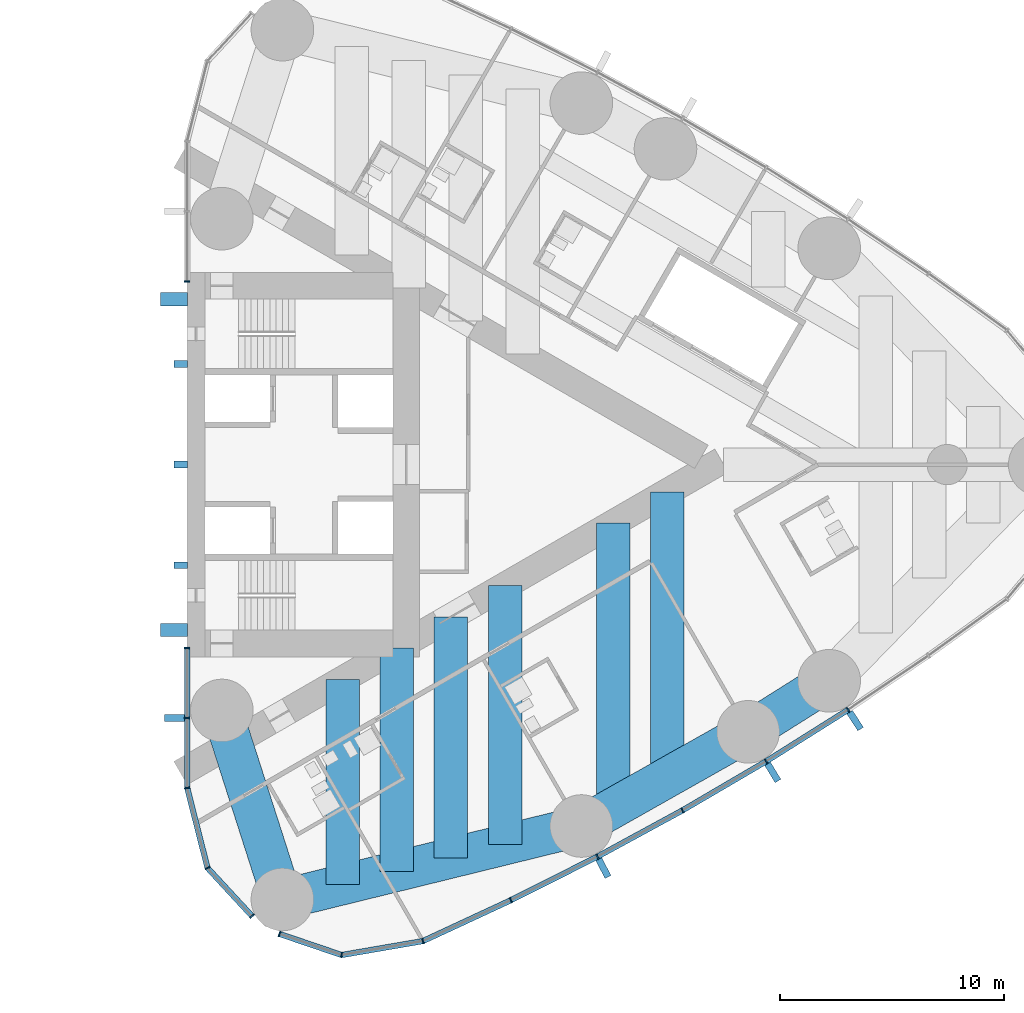
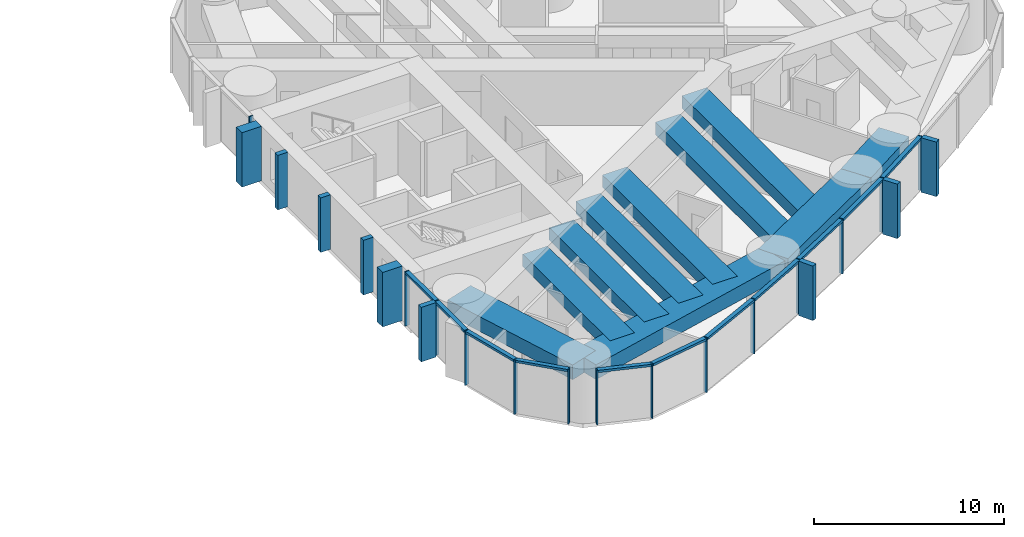
# One storey, part 6 of 18: 34 members, 10 beams, 3 elements without a shape of their own.
"""IFC4 building model written with IfcOpenShell, lengths in metres."""

from ifc_helpers import new_model, si_unit, direction, frame, origin, origin_2d, place, context, subcontext, project, spatial, rectangle, extrude, material, material_profile, profile_set, type_object, element, aggregate, save


model = new_model("IFC4")

# Units and contexts
model_context = context("Model", 3, precision=1e-05, world=origin(), true_north=direction((0.0, 1.0)))
body_context = subcontext(model_context, "Body", "Model", "MODEL_VIEW")
ifc_project = project(units=[si_unit("LENGTHUNIT", "METRE"), si_unit("AREAUNIT", "SQUARE_METRE"), si_unit("VOLUMEUNIT", "CUBIC_METRE"), si_unit("PLANEANGLEUNIT", "RADIAN"), si_unit("MASSUNIT", "GRAM", prefix="KILO")], contexts=[model_context])

# Site, building, storey
site_placement = place(None, origin())
site = spatial("IfcSite", under=ifc_project, at=site_placement, CompositionType="ELEMENT")
building_placement = place(site_placement, origin())
building = spatial("IfcBuilding", under=site, at=building_placement, Name="Lancet Gate Hotel", CompositionType="ELEMENT")
storey_placement = place(building_placement, frame((0.0, 0.0, 187.800048828125)))
storey = spatial("IfcBuildingStorey", under=building, at=storey_placement, Name="L50", CompositionType="ELEMENT", Elevation=187.800048828125)

# Curtain wall, members
ifc_material_1 = material(Name="Aluminium curtain wall", Category="aluminium")
curtain_wall_type = type_object("IfcCurtainWallType", Name="Tower unitised curtain wall", PredefinedType="USERDEFINED", material=ifc_material_1)
curtain_wall_1_placement = place(storey_placement, origin())
curtain_wall_1 = element("IfcCurtainWall", 1, at=curtain_wall_1_placement, inside=storey, type_object=curtain_wall_type, Name="T2 L50 curtain wall 1", ObjectType="UNITISED CURTAIN WALL", PredefinedType="USERDEFINED")
ifc_material_2 = material(Name="Aluminium mullion", Category="aluminium")
ifc_material_profile_1 = material_profile(ifc_material_2, rectangle(XDim=0.06494140625, YDim=0.25, at=origin_2d()), Name="MULLION 65x250")
ifc_profile_set_1 = profile_set([ifc_material_profile_1], Name="Aluminium mullion")
member_type_1 = type_object("IfcMemberType", Name="Aluminium mullion 65x250", PredefinedType="MULLION", material=ifc_profile_set_1)
member_1_placement = place(storey_placement, frame((27.5, -8.199951171875, 0.0), z_axis=(0.0, 0.0, 1.0), x_axis=(0.0, -1.0, 0.0)))
member_1 = element("IfcMember", 2, at=member_1_placement, type_object=member_type_1, Name="T2 L50 curtain wall 1 mullion 1", PredefinedType="MULLION", context=body_context, shape_type="SweptSolid", body=[
    extrude(rectangle(XDim=0.06494140625, YDim=0.25, at=origin_2d()), origin(), (0.0, 0.0, 1.0), 3.5),
])
member_2_placement = place(storey_placement, frame((27.5, -11.332763671875, 0.0), z_axis=(0.0, 0.0, 1.0), x_axis=(0.0, -1.0, 0.0)))
member_2 = element("IfcMember", 3, at=member_2_placement, type_object=member_type_1, Name="T2 L50 curtain wall 1 mullion 2", PredefinedType="MULLION", context=body_context, shape_type="SweptSolid", body=[
    extrude(rectangle(XDim=0.06494140625, YDim=0.25, at=origin_2d()), origin(), (0.0, 0.0, 1.0), 3.5),
])
member_3_placement = place(storey_placement, frame((27.5, -14.465576171875, 0.0), z_axis=(0.0, 0.0, 1.0), x_axis=(0.134206524909, -0.990953383703, 0.0)))
member_3 = element("IfcMember", 4, at=member_3_placement, type_object=member_type_1, Name="T2 L50 curtain wall 1 mullion 3", PredefinedType="MULLION", context=body_context, shape_type="SweptSolid", body=[
    extrude(rectangle(XDim=0.06494140625, YDim=0.25, at=origin_2d()), origin(), (0.0, 0.0, 1.0), 3.5),
])
member_4_placement = place(storey_placement, frame((28.408935546875, -18.04443359375, 0.0), z_axis=(0.0, 0.0, 1.0), x_axis=(0.451505925065, -0.892268120932, 0.0)))
member_4 = element("IfcMember", 5, at=member_4_placement, type_object=member_type_1, Name="T2 L50 curtain wall 1 mullion 4", PredefinedType="MULLION", context=body_context, shape_type="SweptSolid", body=[
    extrude(rectangle(XDim=0.06494140625, YDim=0.25, at=origin_2d()), origin(), (0.0, 0.0, 1.0), 3.5),
])
member_5_placement = place(storey_placement, frame((30.40185546875, -20.199951171875, 0.0), z_axis=(0.0, 0.0, 1.0), x_axis=(0.67883123083, -0.734294327943, 0.0)))
member_5 = element("IfcMember", 6, at=member_5_placement, type_object=member_type_1, Name="T2 L50 curtain wall 1 mullion 5", PredefinedType="MULLION", context=body_context, shape_type="SweptSolid", body=[
    extrude(rectangle(XDim=0.06494140625, YDim=0.25, at=origin_2d()), origin(), (0.0, 0.0, 1.0), 3.5),
])

curtain_wall_2_placement = place(storey_placement, origin())
curtain_wall_2 = element("IfcCurtainWall", 7, at=curtain_wall_2_placement, inside=storey, type_object=curtain_wall_type, Name="T2 L50 curtain wall 2", ObjectType="UNITISED CURTAIN WALL", PredefinedType="USERDEFINED")
member_6_placement = place(storey_placement, frame((31.631591796875, -20.998779296875, 0.0), z_axis=(0.0, 0.0, 1.0), x_axis=(0.946952368511, -0.321373943827, 0.0)))
member_6 = element("IfcMember", 8, at=member_6_placement, type_object=member_type_1, Name="T2 L50 curtain wall 2 mullion 1", PredefinedType="MULLION", context=body_context, shape_type="SweptSolid", body=[
    extrude(rectangle(XDim=0.06494140625, YDim=0.25, at=origin_2d()), origin(), (0.0, 0.0, 1.0), 3.5),
])
member_7_placement = place(storey_placement, frame((34.412109375, -21.9423828125, 0.0), z_axis=(0.0, 0.0, 1.0), x_axis=(0.99877556888, -0.049470829879, 0.0)))
member_7 = element("IfcMember", 9, at=member_7_placement, type_object=member_type_1, Name="T2 L50 curtain wall 2 mullion 2", PredefinedType="MULLION", context=body_context, shape_type="SweptSolid", body=[
    extrude(rectangle(XDim=0.06494140625, YDim=0.25, at=origin_2d()), origin(), (0.0, 0.0, 1.0), 3.5),
])
member_8_placement = place(storey_placement, frame((38.05126953125, -21.31689453125, 0.0), z_axis=(0.0, 0.0, 1.0), x_axis=(0.951355493327, 0.308095318555, 0.0)))
member_8 = element("IfcMember", 10, at=member_8_placement, type_object=member_type_1, Name="T2 L50 curtain wall 2 mullion 3", PredefinedType="MULLION", context=body_context, shape_type="SweptSolid", body=[
    extrude(rectangle(XDim=0.06494140625, YDim=0.25, at=origin_2d()), origin(), (0.0, 0.0, 1.0), 3.5),
])
member_9_placement = place(storey_placement, frame((41.98193359375, -19.490966796875, 0.0), z_axis=(0.0, 0.0, 1.0), x_axis=(0.900141333422, 0.435597956681, 0.0)))
member_9 = element("IfcMember", 11, at=member_9_placement, type_object=member_type_1, Name="T2 L50 curtain wall 2 mullion 4", PredefinedType="MULLION", context=body_context, shape_type="SweptSolid", body=[
    extrude(rectangle(XDim=0.06494140625, YDim=0.25, at=origin_2d()), origin(), (0.0, 0.0, 1.0), 3.5),
])
member_10_placement = place(storey_placement, frame((45.8525390625, -17.54150390625, 0.0), z_axis=(0.0, 0.0, 1.0), x_axis=(0.885877049989, 0.463920092584, 0.0)))
member_10 = element("IfcMember", 12, at=member_10_placement, type_object=member_type_1, Name="T2 L50 curtain wall 2 mullion 5", PredefinedType="MULLION", context=body_context, shape_type="SweptSolid", body=[
    extrude(rectangle(XDim=0.06494140625, YDim=0.25, at=origin_2d()), origin(), (0.0, 0.0, 1.0), 3.5),
])
member_11_placement = place(storey_placement, frame((49.65966796875, -15.47021484375, 0.0), z_axis=(0.0, 0.0, 1.0), x_axis=(0.870721916932, 0.491775704336, 0.0)))
member_11 = element("IfcMember", 13, at=member_11_placement, type_object=member_type_1, Name="T2 L50 curtain wall 2 mullion 6", PredefinedType="MULLION", context=body_context, shape_type="SweptSolid", body=[
    extrude(rectangle(XDim=0.06494140625, YDim=0.25, at=origin_2d()), origin(), (0.0, 0.0, 1.0), 3.5),
])
member_12_placement = place(storey_placement, frame((53.39892578125, -13.279541015625, 0.0), z_axis=(0.0, 0.0, 1.0), x_axis=(0.854691174453, 0.519136779965, 0.0)))
member_12 = element("IfcMember", 14, at=member_12_placement, type_object=member_type_1, Name="T2 L50 curtain wall 2 mullion 7", PredefinedType="MULLION", context=body_context, shape_type="SweptSolid", body=[
    extrude(rectangle(XDim=0.06494140625, YDim=0.25, at=origin_2d()), origin(), (0.0, 0.0, 1.0), 3.5),
])
member_13_placement = place(storey_placement, frame((57.067138671875, -10.970947265625, 0.0), z_axis=(0.0, 0.0, 1.0), x_axis=(0.837800943278, 0.545975804815, 0.0)))
member_13 = element("IfcMember", 15, at=member_13_placement, type_object=member_type_1, Name="T2 L50 curtain wall 2 mullion 8", PredefinedType="MULLION", context=body_context, shape_type="SweptSolid", body=[
    extrude(rectangle(XDim=0.06494140625, YDim=0.25, at=origin_2d()), origin(), (0.0, 0.0, 1.0), 3.5),
])

# Curtain wall, member
curtain_wall_3_placement = place(storey_placement, origin())
curtain_wall_3 = element("IfcCurtainWall", 16, at=curtain_wall_3_placement, inside=storey, type_object=curtain_wall_type, Name="T2 L50 curtain wall 4", ObjectType="UNITISED CURTAIN WALL", PredefinedType="USERDEFINED")
member_14_placement = place(storey_placement, frame((27.5, 8.199951171875, 0.0), z_axis=(0.0, 0.0, 1.0), x_axis=(0.0, -1.0, 0.0)))
member_14 = element("IfcMember", 17, at=member_14_placement, type_object=member_type_1, Name="T2 L50 curtain wall 4 mullion 5", PredefinedType="MULLION", context=body_context, shape_type="SweptSolid", body=[
    extrude(rectangle(XDim=0.06494140625, YDim=0.25, at=origin_2d()), origin(), (0.0, 0.0, 1.0), 3.5),
])
aggregate(curtain_wall_3, [member_14])

# Member
ifc_material_3 = material(Name="Aluminium transom", Category="aluminium")
ifc_material_profile_2 = material_profile(ifc_material_3, rectangle(XDim=0.25, YDim=0.14990234375, at=origin_2d()), Name="TRANSOM 250x150")
ifc_profile_set_2 = profile_set([ifc_material_profile_2], Name="Aluminium transom")
member_type_2 = type_object("IfcMemberType", Name="Aluminium transom 250x150", PredefinedType="USERDEFINED", material=ifc_profile_set_2)
member_15_placement = place(storey_placement, frame((27.5, -8.232421875, 3.425048828125), z_axis=(0.0, -1.0, 0.0), x_axis=(1.0, 0.0, 0.0)))
member_15 = element("IfcMember", 18, at=member_15_placement, type_object=member_type_2, Name="T2 L50 curtain wall 1 transom 1", ObjectType="TRANSOM", PredefinedType="USERDEFINED", context=body_context, shape_type="SweptSolid", body=[
    extrude(rectangle(XDim=0.25, YDim=0.14990234375, at=origin_2d()), origin(), (0.0, 0.0, 1.0), 3.06787109375),
])

member_16_placement = place(storey_placement, frame((27.5, -11.365234375, 3.425048828125), z_axis=(0.0, -1.0, 0.0), x_axis=(1.0, 0.0, 0.0)))
member_16 = element("IfcMember", 19, at=member_16_placement, type_object=member_type_2, Name="T2 L50 curtain wall 1 transom 2", ObjectType="TRANSOM", PredefinedType="USERDEFINED", context=body_context, shape_type="SweptSolid", body=[
    extrude(rectangle(XDim=0.25, YDim=0.14990234375, at=origin_2d()), origin(), (0.0, 0.0, 1.0), 3.06787109375),
])

member_17_placement = place(storey_placement, frame((27.508056640625, -14.4970703125, 3.425048828125), z_axis=(0.246128756616, -0.969237140831, 0.0), x_axis=(0.969237140831, 0.246128756616, 0.0)))
member_17 = element("IfcMember", 20, at=member_17_placement, type_object=member_type_2, Name="T2 L50 curtain wall 1 transom 3", ObjectType="TRANSOM", PredefinedType="USERDEFINED", context=body_context, shape_type="SweptSolid", body=[
    extrude(rectangle(XDim=0.25, YDim=0.14990234375, at=origin_2d()), origin(), (0.0, 0.0, 1.0), 3.62744140625),
])

member_18_placement = place(storey_placement, frame((28.43115234375, -18.068359375, 3.425048828125), z_axis=(0.678792146129, -0.734330458549, 0.0), x_axis=(0.734330458549, 0.678792146129, 0.0)))
member_18 = element("IfcMember", 21, at=member_18_placement, type_object=member_type_2, Name="T2 L50 curtain wall 1 transom 4", ObjectType="TRANSOM", PredefinedType="USERDEFINED", context=body_context, shape_type="SweptSolid", body=[
    extrude(rectangle(XDim=0.25, YDim=0.14990234375, at=origin_2d()), origin(), (0.0, 0.0, 1.0), 2.87060546875),
])

member_19_placement = place(storey_placement, frame((31.662353515625, -21.00927734375, 3.425048828125), z_axis=(0.946943122832, -0.321401185625, 0.0), x_axis=(0.321401185625, 0.946943122832, 0.0)))
member_19 = element("IfcMember", 22, at=member_19_placement, type_object=member_type_2, Name="T2 L50 curtain wall 2 transom 1", ObjectType="TRANSOM", PredefinedType="USERDEFINED", context=body_context, shape_type="SweptSolid", body=[
    extrude(rectangle(XDim=0.25, YDim=0.14990234375, at=origin_2d()), origin(), (0.0, 0.0, 1.0), 2.871337890625),
])

member_20_placement = place(storey_placement, frame((34.444091796875, -21.93701171875, 3.425048828125), z_axis=(0.985536950873, 0.169460669373, 0.0), x_axis=(-0.169460669373, 0.985536950873, 0.0)))
member_20 = element("IfcMember", 23, at=member_20_placement, type_object=member_type_2, Name="T2 L50 curtain wall 2 transom 2", ObjectType="TRANSOM", PredefinedType="USERDEFINED", context=body_context, shape_type="SweptSolid", body=[
    extrude(rectangle(XDim=0.25, YDim=0.14990234375, at=origin_2d()), origin(), (0.0, 0.0, 1.0), 3.627685546875),
])

member_21_placement = place(storey_placement, frame((38.080810546875, -21.30322265625, 3.425048828125), z_axis=(0.906913768492, 0.421316290357, 0.0), x_axis=(-0.421316290357, 0.906913768492, 0.0)))
member_21 = element("IfcMember", 24, at=member_21_placement, type_object=member_type_2, Name="T2 L50 curtain wall 2 transom 3", ObjectType="TRANSOM", PredefinedType="USERDEFINED", context=body_context, shape_type="SweptSolid", body=[
    extrude(rectangle(XDim=0.25, YDim=0.14990234375, at=origin_2d()), origin(), (0.0, 0.0, 1.0), 4.26904296875),
])

member_22_placement = place(storey_placement, frame((42.010986328125, -19.476318359375, 3.425048828125), z_axis=(0.893130969207, 0.449796700571, 0.0), x_axis=(-0.449796700571, 0.893130969207, 0.0)))
member_22 = element("IfcMember", 25, at=member_22_placement, type_object=member_type_2, Name="T2 L50 curtain wall 2 transom 4", ObjectType="TRANSOM", PredefinedType="USERDEFINED", context=body_context, shape_type="SweptSolid", body=[
    extrude(rectangle(XDim=0.25, YDim=0.14990234375, at=origin_2d()), origin(), (0.0, 0.0, 1.0), 4.26904296875),
])

member_23_placement = place(storey_placement, frame((45.881103515625, -17.526123046875, 3.425048828125), z_axis=(0.878404302735, 0.477918278513, 0.0), x_axis=(-0.477918278513, 0.878404302735, 0.0)))
member_23 = element("IfcMember", 26, at=member_23_placement, type_object=member_type_2, Name="T2 L50 curtain wall 2 transom 5", ObjectType="TRANSOM", PredefinedType="USERDEFINED", context=body_context, shape_type="SweptSolid", body=[
    extrude(rectangle(XDim=0.25, YDim=0.14990234375, at=origin_2d()), origin(), (0.0, 0.0, 1.0), 4.26904296875),
])

member_24_placement = place(storey_placement, frame((49.687744140625, -15.453857421875, 3.425048828125), z_axis=(0.862825279032, 0.505502262966, 0.0), x_axis=(-0.505502262966, 0.862825279032, 0.0)))
member_24 = element("IfcMember", 27, at=member_24_placement, type_object=member_type_2, Name="T2 L50 curtain wall 2 transom 6", ObjectType="TRANSOM", PredefinedType="USERDEFINED", context=body_context, shape_type="SweptSolid", body=[
    extrude(rectangle(XDim=0.25, YDim=0.14990234375, at=origin_2d()), origin(), (0.0, 0.0, 1.0), 4.26904296875),
])

member_25_placement = place(storey_placement, frame((53.426513671875, -13.26220703125, 3.425048828125), z_axis=(0.846333101657, 0.532653997488, 0.0), x_axis=(-0.532653997488, 0.846333101657, 0.0)))
member_25 = element("IfcMember", 28, at=member_25_placement, type_object=member_type_2, Name="T2 L50 curtain wall 2 transom 7", ObjectType="TRANSOM", PredefinedType="USERDEFINED", context=body_context, shape_type="SweptSolid", body=[
    extrude(rectangle(XDim=0.25, YDim=0.14990234375, at=origin_2d()), origin(), (0.0, 0.0, 1.0), 4.26904296875),
])

# Beams
ifc_material_4 = material(Name="Concrete C50/60", Category="concrete")
ifc_material_profile_3 = material_profile(ifc_material_4, rectangle(XDim=1.800048828125, YDim=0.949951171875, at=origin_2d()), Name="RC 1800x950")
ifc_profile_set_3 = profile_set([ifc_material_profile_3], Name="Concrete C50/60")
beam_type_1 = type_object("IfcBeamType", Name="Edge beam RC 1800x950", PredefinedType="SPANDREL", material=ifc_profile_set_3)
beam_1_placement = place(storey_placement, frame((31.759765625, -19.455810546875, 2.77490234375), z_axis=(0.971093253227, 0.238700426344, 0.0), x_axis=(-0.238700426344, 0.971093253227, 0.0)))
element("IfcBeam", 29, at=beam_1_placement, inside=storey, type_object=beam_type_1, Name="T2 edge beam EB1 L50", PredefinedType="SPANDREL", context=body_context, shape_type="SweptSolid", body=[
    extrude(rectangle(XDim=1.800048828125, YDim=0.949951171875, at=origin_2d()), origin(), (0.0, 0.0, 1.0), 13.77197265625),
])
beam_2_placement = place(storey_placement, frame((45.133544921875, -16.16845703125, 2.77490234375), z_axis=(0.870721990329, 0.491775574381, 0.0), x_axis=(-0.491775574381, 0.870721990329, 0.0)))
element("IfcBeam", 30, at=beam_2_placement, inside=storey, type_object=beam_type_1, Name="T2 edge beam EB1 L50", PredefinedType="SPANDREL", context=body_context, shape_type="SweptSolid", body=[
    extrude(rectangle(XDim=1.800048828125, YDim=0.949951171875, at=origin_2d()), origin(), (0.0, 0.0, 1.0), 8.568603515625),
])
beam_3_placement = place(storey_placement, frame((52.594482421875, -11.95458984375, 2.77490234375), z_axis=(0.846348902569, 0.532628890617, 0.0), x_axis=(-0.532628890617, 0.846348902569, 0.0)))
element("IfcBeam", 31, at=beam_3_placement, inside=storey, type_object=beam_type_1, Name="T2 edge beam EB1 L50", PredefinedType="SPANDREL", context=body_context, shape_type="SweptSolid", body=[
    extrude(rectangle(XDim=1.800048828125, YDim=0.949951171875, at=origin_2d()), origin(), (0.0, 0.0, 1.0), 4.284912109375),
])
beam_4_placement = place(storey_placement, frame((31.759765625, -19.455810546875, 2.77490234375), z_axis=(-0.305169772986, 0.952297962644, 0.0), x_axis=(-0.952297962644, -0.305169772986, 0.0)))
element("IfcBeam", 32, at=beam_4_placement, inside=storey, type_object=beam_type_1, Name="T2 edge beam EB1 L50", PredefinedType="SPANDREL", context=body_context, shape_type="SweptSolid", body=[
    extrude(rectangle(XDim=1.800048828125, YDim=0.949951171875, at=origin_2d()), origin(), (0.0, 0.0, 1.0), 8.87939453125),
])

# Members
ifc_material_5 = material(Name="Concrete C60/75", Category="concrete")
ifc_material_profile_4 = material_profile(ifc_material_5, rectangle(XDim=0.60009765625, YDim=1.199951171875, at=origin_2d()), Name="FIN 600x1200")
ifc_profile_set_4 = profile_set([ifc_material_profile_4], Name="Concrete C60/75")
member_type_3 = type_object("IfcMemberType", Name="Exposed concrete buttress pilaster 600x1200", PredefinedType="USERDEFINED", material=ifc_profile_set_4)
for number, where, z_axis, x_axis, name in (
    (33, (26.909912109375, -7.39990234375, 0.0), (0.0, 0.0, 1.0), (0.0, 1.0, 0.0), "T2 buttress pilaster S L50"),
    (34, (26.909912109375, 7.39990234375, 0.0), (0.0, 0.0, 1.0), (0.0, 1.0, 0.0), "T2 buttress pilaster N L50"),
):
    element("IfcMember", number, at=place(storey_placement, frame(where, z_axis=z_axis, x_axis=x_axis)), inside=storey, type_object=member_type_3, Name=name, ObjectType="FIN", PredefinedType="USERDEFINED", context=body_context, shape_type="SweptSolid", body=[
        extrude(rectangle(XDim=0.60009765625, YDim=1.199951171875, at=origin_2d()), origin(), (0.0, 0.0, 1.0), 3.5),
    ])

# Member
ifc_material_6 = material(Name="Precast concrete C50/60", Category="concrete")
ifc_material_profile_5 = material_profile(ifc_material_6, rectangle(XDim=0.300048828125, YDim=0.89990234375, at=origin_2d()), Name="FIN 300x900")
ifc_profile_set_5 = profile_set([ifc_material_profile_5], Name="Precast concrete C50/60")
member_type_4 = type_object("IfcMemberType", Name="Exposed concrete fin 300x900", PredefinedType="USERDEFINED", material=ifc_profile_set_5)
member_26_placement = place(storey_placement, frame((26.925048828125, -11.332763671875, 0.0), z_axis=(0.0, 0.0, 1.0), x_axis=(0.0, -1.0, 0.0)))
member_26 = element("IfcMember", 35, at=member_26_placement, type_object=member_type_4, Name="T2 L50 curtain wall 1 fin 2", ObjectType="FIN", PredefinedType="USERDEFINED", context=body_context, shape_type="SweptSolid", body=[
    extrude(rectangle(XDim=0.300048828125, YDim=0.89990234375, at=origin_2d()), origin(), (0.0, 0.0, 1.0), 3.5),
])

aggregate(curtain_wall_1, [member_1, member_2, member_26, member_3, member_4, member_5, member_15, member_16, member_17, member_18])

member_27_placement = place(storey_placement, frame((46.119384765625, -18.051025390625, 0.0), z_axis=(0.0, 0.0, 1.0), x_axis=(0.885877049989, 0.463920092584, 0.0)))
member_27 = element("IfcMember", 36, at=member_27_placement, type_object=member_type_4, Name="T2 L50 curtain wall 2 fin 5", ObjectType="FIN", PredefinedType="USERDEFINED", context=body_context, shape_type="SweptSolid", body=[
    extrude(rectangle(XDim=0.300048828125, YDim=0.89990234375, at=origin_2d()), origin(), (0.0, 0.0, 1.0), 3.5),
])

member_28_placement = place(storey_placement, frame((53.697509765625, -13.770751953125, 0.0), z_axis=(0.0, 0.0, 1.0), x_axis=(0.854691174453, 0.519136779965, 0.0)))
member_28 = element("IfcMember", 37, at=member_28_placement, type_object=member_type_4, Name="T2 L50 curtain wall 2 fin 7", ObjectType="FIN", PredefinedType="USERDEFINED", context=body_context, shape_type="SweptSolid", body=[
    extrude(rectangle(XDim=0.300048828125, YDim=0.89990234375, at=origin_2d()), origin(), (0.0, 0.0, 1.0), 3.5),
])

member_29_placement = place(storey_placement, frame((57.381103515625, -11.452880859375, 0.0), z_axis=(0.0, 0.0, 1.0), x_axis=(0.837800943278, 0.545975804815, 0.0)))
member_29 = element("IfcMember", 38, at=member_29_placement, type_object=member_type_4, Name="T2 L50 curtain wall 2 fin 8", ObjectType="FIN", PredefinedType="USERDEFINED", context=body_context, shape_type="SweptSolid", body=[
    extrude(rectangle(XDim=0.300048828125, YDim=0.89990234375, at=origin_2d()), origin(), (0.0, 0.0, 1.0), 3.5),
])

aggregate(curtain_wall_2, [member_6, member_7, member_8, member_9, member_10, member_27, member_11, member_12, member_28, member_13, member_29, member_19, member_20, member_21, member_22, member_23, member_24, member_25])

# Members
ifc_material_7 = material(Name="Concrete C60/75", Category="concrete")
ifc_material_profile_6 = material_profile(ifc_material_7, rectangle(XDim=0.300048828125, YDim=0.60009765625, at=origin_2d()), Name="FIN 300x600")
ifc_profile_set_6 = profile_set([ifc_material_profile_6], Name="Concrete C60/75")
member_type_5 = type_object("IfcMemberType", Name="Exposed concrete rib 300x600", PredefinedType="USERDEFINED", material=ifc_profile_set_6)
for number, where, z_axis, x_axis, name in (
    (39, (27.2099609375, -4.5, 0.0), (0.0, 0.0, 1.0), (0.0, 1.0, 0.0), "T2 core rib 1 L50"),
    (40, (27.2099609375, 0.0, 0.0), (0.0, 0.0, 1.0), (0.0, 1.0, 0.0), "T2 core rib 2 L50"),
    (41, (27.2099609375, 4.5, 0.0), (0.0, 0.0, 1.0), (0.0, 1.0, 0.0), "T2 core rib 3 L50"),
):
    element("IfcMember", number, at=place(storey_placement, frame(where, z_axis=z_axis, x_axis=x_axis)), inside=storey, type_object=member_type_5, Name=name, ObjectType="FIN", PredefinedType="USERDEFINED", context=body_context, shape_type="SweptSolid", body=[
        extrude(rectangle(XDim=0.300048828125, YDim=0.60009765625, at=origin_2d()), origin(), (0.0, 0.0, 1.0), 3.5),
    ])

# Beams
ifc_material_8 = material(Name="Concrete C50/60", Category="concrete")
ifc_material_profile_7 = material_profile(ifc_material_8, rectangle(XDim=1.5, YDim=0.800048828125, at=origin_2d()), Name="RC 1500x800")
ifc_profile_set_7 = profile_set([ifc_material_profile_7], Name="Concrete C50/60")
beam_type_2 = type_object("IfcBeamType", Name="Floor beam RC 1500x800", PredefinedType="BEAM", material=ifc_profile_set_7)
beam_5_placement = place(storey_placement, frame((34.460693359375, -18.7919921875, 2.849853515625), z_axis=(0.0, 1.0, 0.0), x_axis=(-1.0, 0.0, 0.0)))
element("IfcBeam", 42, at=beam_5_placement, inside=storey, type_object=beam_type_2, Name="T2 floor beam F01S L50", PredefinedType="BEAM", context=body_context, shape_type="SweptSolid", body=[
    extrude(rectangle(XDim=1.5, YDim=0.800048828125, at=origin_2d()), origin(), (0.0, 0.0, 1.0), 9.18408203125),
])
beam_6_placement = place(storey_placement, frame((36.880859375, -18.197021484375, 2.849853515625), z_axis=(0.0, 1.0, 0.0), x_axis=(-1.0, 0.0, 0.0)))
element("IfcBeam", 43, at=beam_6_placement, inside=storey, type_object=beam_type_2, Name="T2 floor beam F03S L50", PredefinedType="BEAM", context=body_context, shape_type="SweptSolid", body=[
    extrude(rectangle(XDim=1.5, YDim=0.800048828125, at=origin_2d()), origin(), (0.0, 0.0, 1.0), 9.986328125),
])
beam_7_placement = place(storey_placement, frame((39.301025390625, -17.60205078125, 2.849853515625), z_axis=(0.0, 1.0, 0.0), x_axis=(-1.0, 0.0, 0.0)))
element("IfcBeam", 44, at=beam_7_placement, inside=storey, type_object=beam_type_2, Name="T2 floor beam F05S L50", PredefinedType="BEAM", context=body_context, shape_type="SweptSolid", body=[
    extrude(rectangle(XDim=1.5, YDim=0.800048828125, at=origin_2d()), origin(), (0.0, 0.0, 1.0), 10.78857421875),
])
beam_8_placement = place(storey_placement, frame((41.721435546875, -17.007080078125, 2.849853515625), z_axis=(0.0, 1.0, 0.0), x_axis=(-1.0, 0.0, 0.0)))
element("IfcBeam", 45, at=beam_8_placement, inside=storey, type_object=beam_type_2, Name="T2 floor beam F07S L50", PredefinedType="BEAM", context=body_context, shape_type="SweptSolid", body=[
    extrude(rectangle(XDim=1.5, YDim=0.800048828125, at=origin_2d()), origin(), (0.0, 0.0, 1.0), 11.591064453125),
])
beam_9_placement = place(storey_placement, frame((46.561767578125, -15.36181640625, 2.849853515625), z_axis=(0.0, 1.0, 0.0), x_axis=(-1.0, 0.0, 0.0)))
element("IfcBeam", 46, at=beam_9_placement, inside=storey, type_object=beam_type_2, Name="T2 floor beam F09S L50", PredefinedType="BEAM", context=body_context, shape_type="SweptSolid", body=[
    extrude(rectangle(XDim=1.5, YDim=0.800048828125, at=origin_2d()), origin(), (0.0, 0.0, 1.0), 12.740478515625),
])
beam_10_placement = place(storey_placement, frame((48.98193359375, -13.994873046875, 2.849853515625), z_axis=(0.0, 1.0, 0.0), x_axis=(-1.0, 0.0, 0.0)))
element("IfcBeam", 47, at=beam_10_placement, inside=storey, type_object=beam_type_2, Name="T2 floor beam F10S L50", PredefinedType="BEAM", context=body_context, shape_type="SweptSolid", body=[
    extrude(rectangle(XDim=1.5, YDim=0.800048828125, at=origin_2d()), origin(), (0.0, 0.0, 1.0), 12.770751953125),
])

save(model, "model.ifc")
